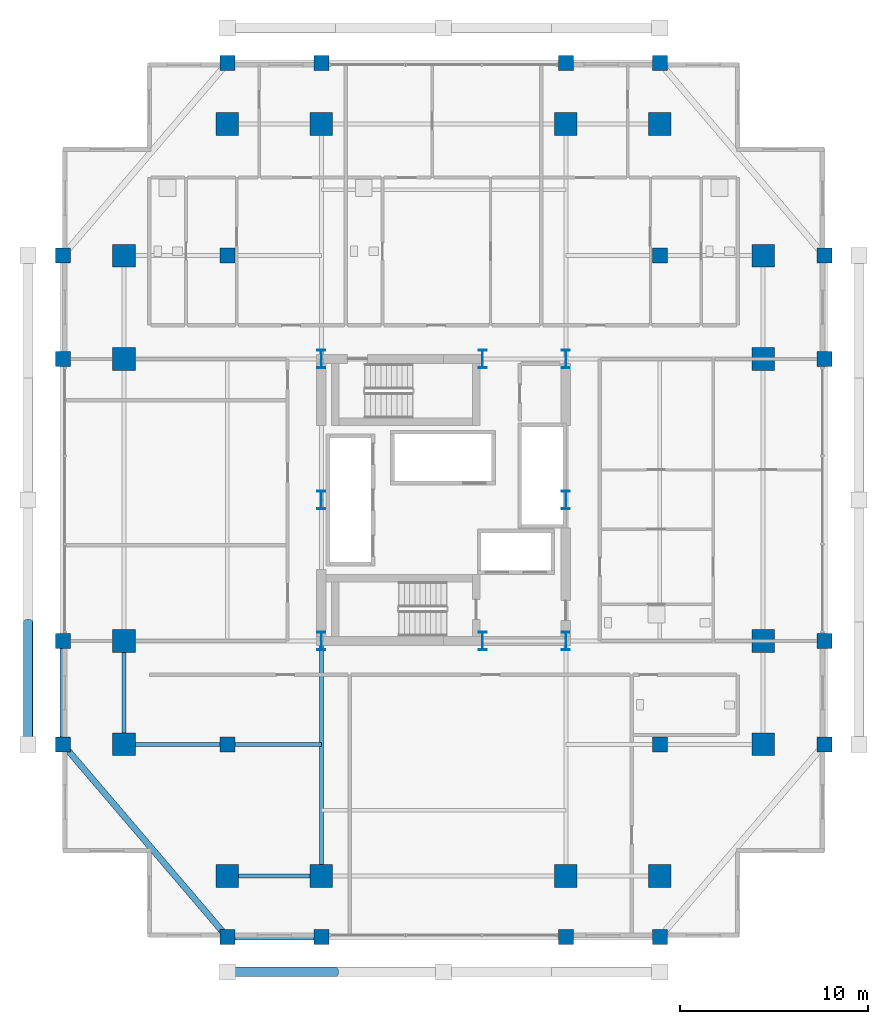
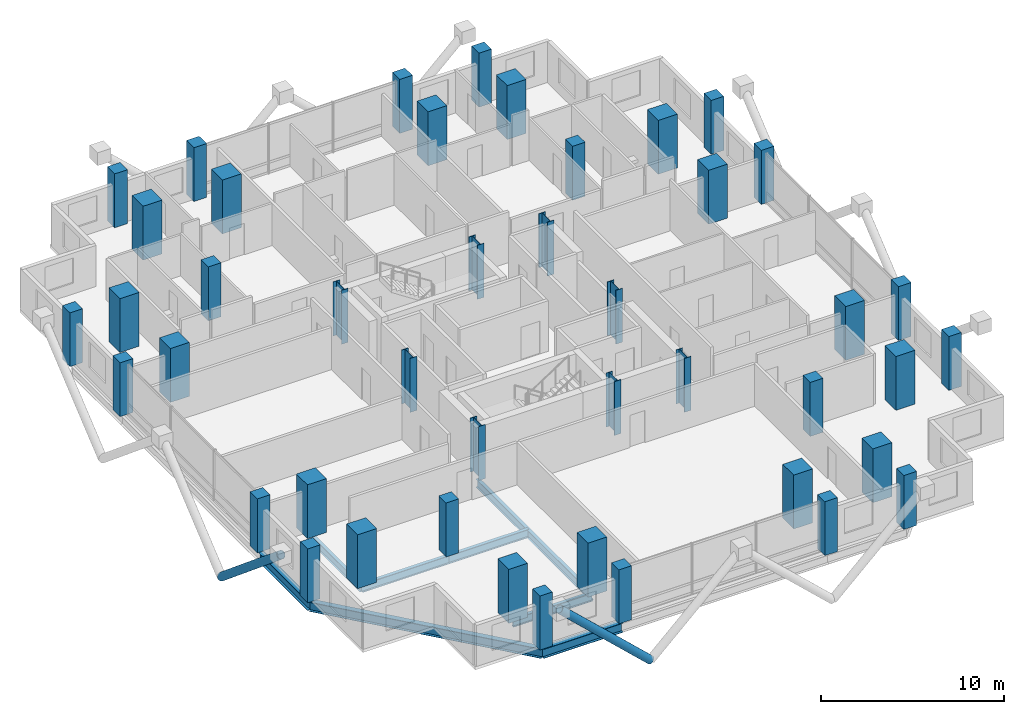
# One storey, part 1 of 22: 44 columns, 8 beams, 2 members.
"""IFC4 building model written with IfcOpenShell, lengths in metres."""

import ifcopenshell
import ifcopenshell.guid

model = None  # the IFC model being written
_history = None  # IfcOwnerHistory: only IFC2X3 demands one
_inside = {}  # id of a spatial element -> (the spatial element, [elements in it])
_under = {}  # id of a project, library or spatial element -> (it, [spatial elements below it])
_declared = {}  # id of a project -> (the project, [libraries it declares])
_typed = {}  # id of a type object -> (the type object, [elements of that type])
_made_of = {}  # id of a material, layer set ... -> (it, [elements and type objects made of it])


def new_model(schema):
    """Start an empty IFC model of exactly this schema.

    Asked for "IFC4X3", IfcOpenShell would pick the latest addendum, in which some entities
    have other attributes; the version numbers below select the first issue.
    IFC2X3 requires an IfcOwnerHistory on every rooted entity: one is made here for all.
    """
    global model, _history
    if schema == "IFC4X3":
        model = ifcopenshell.file(schema_version=(4, 3, 0, 0))
    else:
        model = ifcopenshell.file(schema=schema)
    _inside.clear()
    _under.clear()
    _declared.clear()
    _typed.clear()
    _made_of.clear()
    _history = None
    if model.schema == "IFC2X3":
        org = make("IfcOrganization", Name="unknown")
        user = make(
            "IfcPersonAndOrganization",
            ThePerson=make("IfcPerson", FamilyName="unknown"),
            TheOrganization=org,
        )
        app = make(
            "IfcApplication",
            ApplicationDeveloper=org,
            Version="unknown",
            ApplicationFullName="unknown",
            ApplicationIdentifier="unknown",
        )
        _history = make(
            "IfcOwnerHistory",
            OwningUser=user,
            OwningApplication=app,
            ChangeAction="ADDED",
            CreationDate=0,
        )
    return model


def make(cls, **values):
    """One entity of the class cls with the attributes given. An attribute that is None is left unset."""
    return model.create_entity(
        cls, **{name: value for name, value in values.items() if value is not None}
    )


def rooted(cls, **values):
    """An entity with a GlobalId (a new one), such as an element, a storey or a relation."""
    return make(cls, GlobalId=ifcopenshell.guid.new(), OwnerHistory=_history, **values)


def si_unit(unit_type, name, prefix=None):
    """IfcSIUnit, for example si_unit("LENGTHUNIT", "METRE", prefix="MILLI")."""
    return make("IfcSIUnit", UnitType=unit_type, Prefix=prefix, Name=name)


def assignment(units):
    """IfcUnitAssignment: the units of a project."""
    return None if units is None else make("IfcUnitAssignment", Units=units)


def point(xyz):
    """IfcCartesianPoint."""
    return None if xyz is None else make("IfcCartesianPoint", Coordinates=xyz)


def direction(xyz):
    """IfcDirection."""
    return None if xyz is None else make("IfcDirection", DirectionRatios=xyz)


def frame(location, z_axis=None, x_axis=None):
    """IfcAxis2Placement3D, a coordinate frame: its origin and axes. An axis left out is left unset."""
    return make(
        "IfcAxis2Placement3D",
        Location=point(location),
        Axis=direction(z_axis),
        RefDirection=direction(x_axis),
    )


def frame_2d(location, x_axis=None):
    """IfcAxis2Placement2D, a coordinate frame in the plane: its origin and x axis."""
    return make(
        "IfcAxis2Placement2D", Location=point(location), RefDirection=direction(x_axis)
    )


def origin():
    """The frame at (0, 0, 0) with its axes left unset."""
    return frame((0.0, 0.0, 0.0))


def origin_2d():
    """The frame at (0, 0) in the plane with its x axis left unset."""
    return frame_2d((0.0, 0.0))


def place(relative_to, where):
    """IfcLocalPlacement: puts the frame where relative to a parent placement (None: the world)."""
    return make(
        "IfcLocalPlacement", PlacementRelTo=relative_to, RelativePlacement=where
    )


def context(
    kind, dimensions, precision=None, world=None, true_north=None, identifier=None
):
    """IfcGeometricRepresentationContext, for example the 3D "Model" context."""
    return make(
        "IfcGeometricRepresentationContext",
        ContextIdentifier=identifier,
        ContextType=kind,
        CoordinateSpaceDimension=dimensions,
        Precision=precision,
        WorldCoordinateSystem=world,
        TrueNorth=true_north,
    )


def subcontext(parent, identifier, kind, view, scale=None):
    """IfcGeometricRepresentationSubContext, for example "Body" below "Model"."""
    return make(
        "IfcGeometricRepresentationSubContext",
        ContextIdentifier=identifier,
        ContextType=kind,
        ParentContext=parent,
        TargetScale=scale,
        TargetView=view,
    )


def project(units=None, contexts=None):
    """IfcProject with its units and contexts."""
    return rooted(
        "IfcProject",
        Name="project",
        RepresentationContexts=contexts,
        UnitsInContext=assignment(units),
    )


def spatial(cls, under=None, at=None, **own):
    """A site, building, storey or space (cls), placed at a placement, below another one or the project."""
    s = rooted(cls, ObjectPlacement=at, **own)
    if under is not None:
        _under.setdefault(under.id(), (under, []))[1].append(s)
    return s


def profile(cls, at=None, kind="AREA", **sizes):
    """A parametric profile (cls). Its sizes go by their IFC names, for example OverallWidth=200.0."""
    return make(cls, ProfileType=kind, Position=at, **sizes)


def rectangle(**sizes):
    """IfcRectangleProfileDef."""
    return profile("IfcRectangleProfileDef", **sizes)


def hollow_circle(**sizes):
    """IfcCircleHollowProfileDef."""
    return profile("IfcCircleHollowProfileDef", **sizes)


def i_section(**sizes):
    """IfcIShapeProfileDef."""
    return profile("IfcIShapeProfileDef", **sizes)


def extrude(swept, where, along, depth):
    """IfcExtrudedAreaSolid: the profile swept, set in the frame where, extruded along a direction by depth."""
    return make(
        "IfcExtrudedAreaSolid",
        SweptArea=swept,
        Position=where,
        ExtrudedDirection=direction(along),
        Depth=depth,
    )


def shape(context_of_items, identifier, shape_type, items):
    """IfcShapeRepresentation: the items that make up one representation, for example the "Body"."""
    return make(
        "IfcShapeRepresentation",
        ContextOfItems=context_of_items,
        RepresentationIdentifier=identifier,
        RepresentationType=shape_type,
        Items=items,
    )


def material(Name=None, Category=None):
    """IfcMaterial."""
    return make("IfcMaterial", Name=Name, Category=Category)


def material_profile(
    of_material, cross_section, Name=None, Category=None, Priority=None
):
    """IfcMaterialProfile: a cross section and its material."""
    return make(
        "IfcMaterialProfile",
        Name=Name,
        Material=of_material,
        Profile=cross_section,
        Priority=Priority,
        Category=Category,
    )


def profile_set(profiles, Name=None, composite=None):
    """IfcMaterialProfileSet."""
    return make(
        "IfcMaterialProfileSet",
        Name=Name,
        MaterialProfiles=profiles,
        CompositeProfile=composite,
    )


def made_of(thing, what):
    """Note that an element or type object is made of a material, layer set ...; save() writes the relation."""
    if what is not None:
        _made_of.setdefault(what.id(), (what, []))[1].append(thing)
    return thing


def type_object(cls, material=None, **own):
    """A type object (cls), such as IfcWallType, which elements share."""
    return made_of(rooted(cls, **own), material)


def element(
    cls,
    number,
    at=None,
    inside=None,
    cuts=None,
    type_object=None,
    material=None,
    context=None,
    identifier="Body",
    shape_type=None,
    held_by="IfcProductDefinitionShape",
    body=None,
    shapes=None,
    **own,
):
    """One element of the class cls, such as IfcWall. Its Tag is "e" and its number.

    at: its placement. inside: the storey or other place that contains it. cuts: it is an
    opening in that element (IfcRelVoidsElement). A single representation is given by context,
    identifier, shape_type and body (its items); several are given by shapes. held_by: the class
    of the entity that holds the representations. save() writes the other relations.
    """
    e = rooted(cls, Tag="e%d" % number, ObjectPlacement=at, **own)
    if body is not None:
        shapes = [shape(context, identifier, shape_type, body)]
    if shapes is not None:
        e.Representation = make(held_by, Representations=shapes)
    if inside is not None:
        _inside.setdefault(inside.id(), (inside, []))[1].append(e)
    if cuts is not None:
        rooted(
            "IfcRelVoidsElement", RelatingBuildingElement=cuts, RelatedOpeningElement=e
        )
    if type_object is not None:
        _typed.setdefault(type_object.id(), (type_object, []))[1].append(e)
    return made_of(e, material)


def aggregate(whole, parts):
    """IfcRelAggregates: a whole, such as a stair, and the parts it consists of."""
    return rooted("IfcRelAggregates", RelatingObject=whole, RelatedObjects=parts)


def save(model, path):
    """Write the relations noted so far, then the file.

    IfcRelAggregates (storeys below a building ...), IfcRelContainedInSpatialStructure (elements
    in a storey), IfcRelDefinesByType, IfcRelAssociatesMaterial and IfcRelDeclares: one each for
    every whole, place, type object, material and project.
    """
    for whole, parts in _under.values():
        aggregate(whole, parts)
    for where, things in _inside.values():
        rooted(
            "IfcRelContainedInSpatialStructure",
            RelatedElements=things,
            RelatingStructure=where,
        )
    for kind, things in _typed.values():
        rooted("IfcRelDefinesByType", RelatedObjects=things, RelatingType=kind)
    for what, things in _made_of.values():
        rooted("IfcRelAssociatesMaterial", RelatedObjects=things, RelatingMaterial=what)
    for by, libraries in _declared.values():
        rooted("IfcRelDeclares", RelatingContext=by, RelatedDefinitions=libraries)
    model.write(path)


model = new_model("IFC4")

# Units and contexts
model_context = context("Model", 3, precision=1e-05, world=origin(), true_north=direction((0.0, 1.0)))
body_context = subcontext(model_context, "Body", "Model", "MODEL_VIEW")
ifc_project = project(units=[si_unit("LENGTHUNIT", "METRE"), si_unit("AREAUNIT", "SQUARE_METRE"), si_unit("VOLUMEUNIT", "CUBIC_METRE"), si_unit("PLANEANGLEUNIT", "RADIAN"), si_unit("MASSUNIT", "GRAM", prefix="KILO")], contexts=[model_context])

# Site, building, storey
site_placement = place(None, origin())
site = spatial("IfcSite", under=ifc_project, at=site_placement, CompositionType="ELEMENT")
building_placement = place(site_placement, origin())
building = spatial("IfcBuilding", under=site, at=building_placement, Name="Barlavira Tower and Art Museum", CompositionType="ELEMENT")
storey_placement = place(building_placement, frame((0.0, 0.0, 106.199951171875)))
storey = spatial("IfcBuildingStorey", under=building, at=storey_placement, Name="L26", CompositionType="ELEMENT", Elevation=106.199951171875)

# Columns
ifc_material_1 = material(Name="Steel S355", Category="steel")
ifc_material_profile_1 = material_profile(ifc_material_1, i_section(OverallWidth=0.419921875, OverallDepth=0.9599609375, WebThickness=0.02197265625, FlangeThickness=0.033935546875, at=origin_2d()), Name="W920x387.0")
ifc_profile_set_1 = profile_set([ifc_material_profile_1], Name="Steel S355")
column_type_1 = type_object("IfcColumnType", Name="Core Composite Column W920x387 Steel S355", PredefinedType="COLUMN", material=ifc_profile_set_1)
for number, where, z_axis, x_axis, name in (
    (1, (-6.5, -7.5, 0.0), (0.0, 0.0, 1.0), (1.0, 0.0, 0.0), "L26 Column CC-L26-C1"),
    (2, (2.080078125, -7.5, 0.0), (0.0, 0.0, 1.0), (1.0, 0.0, 0.0), "L26 Column CC-L26-C2"),
    (3, (6.5, -7.5, 0.0), (0.0, 0.0, 1.0), (1.0, 0.0, 0.0), "L26 Column CC-L26-C3"),
    (4, (-6.5, 0.0, 0.0), (0.0, 0.0, 1.0), (1.0, 0.0, 0.0), "L26 Column CC-L26-C4"),
    (5, (6.5, 0.0, 0.0), (0.0, 0.0, 1.0), (1.0, 0.0, 0.0), "L26 Column CC-L26-C5"),
    (6, (-6.5, 7.5, 0.0), (0.0, 0.0, 1.0), (1.0, 0.0, 0.0), "L26 Column CC-L26-C6"),
    (7, (2.080078125, 7.5, 0.0), (0.0, 0.0, 1.0), (1.0, 0.0, 0.0), "L26 Column CC-L26-C7"),
    (8, (6.5, 7.5, 0.0), (0.0, 0.0, 1.0), (1.0, 0.0, 0.0), "L26 Column CC-L26-C8"),
):
    element("IfcColumn", number, at=place(storey_placement, frame(where, z_axis=z_axis, x_axis=x_axis)), inside=storey, type_object=column_type_1, Name=name, PredefinedType="COLUMN", context=body_context, shape_type="SweptSolid", body=[
        extrude(i_section(OverallWidth=0.419921875, OverallDepth=0.9599609375, WebThickness=0.02197265625, FlangeThickness=0.033935546875, at=origin_2d()), origin(), (0.0, 0.0, 1.0), 3.60009765625),
    ])
ifc_material_2 = material(Name="Concrete C60", Category="concrete")
ifc_material_profile_2 = material_profile(ifc_material_2, rectangle(XDim=1.199951171875, YDim=1.199951171875, at=origin_2d()), Name="RC-COL 1200x1200")
ifc_profile_set_2 = profile_set([ifc_material_profile_2], Name="Concrete C60")
column_type_2 = type_object("IfcColumnType", Name="Perimeter Mega Column 1200x1200 Concrete C60", PredefinedType="USERDEFINED", material=ifc_profile_set_2)
for number, where, z_axis, x_axis, name in (
    (9, (-11.5, -20.0, 0.0), (0.0, 0.0, 1.0), (1.0, 0.0, 0.0), "L26 Column MC-L26-M01"),
    (10, (-6.5, -20.0, 0.0), (0.0, 0.0, 1.0), (1.0, 0.0, 0.0), "L26 Column MC-L26-M02"),
    (11, (6.5, -20.0, 0.0), (0.0, 0.0, 1.0), (1.0, 0.0, 0.0), "L26 Column MC-L26-M03"),
    (12, (11.5, -20.0, 0.0), (0.0, 0.0, 1.0), (1.0, 0.0, 0.0), "L26 Column MC-L26-M04"),
    (13, (17.0, -13.0, 0.0), (0.0, 0.0, 1.0), (1.0, 0.0, 0.0), "L26 Column MC-L26-M05"),
    (14, (17.0, -7.5, 0.0), (0.0, 0.0, 1.0), (1.0, 0.0, 0.0), "L26 Column MC-L26-M06"),
    (15, (17.0, 7.5, 0.0), (0.0, 0.0, 1.0), (1.0, 0.0, 0.0), "L26 Column MC-L26-M07"),
    (16, (17.0, 13.0, 0.0), (0.0, 0.0, 1.0), (1.0, 0.0, 0.0), "L26 Column MC-L26-M08"),
    (17, (11.5, 20.0, 0.0), (0.0, 0.0, 1.0), (1.0, 0.0, 0.0), "L26 Column MC-L26-M09"),
    (18, (6.5, 20.0, 0.0), (0.0, 0.0, 1.0), (1.0, 0.0, 0.0), "L26 Column MC-L26-M10"),
    (19, (-6.5, 20.0, 0.0), (0.0, 0.0, 1.0), (1.0, 0.0, 0.0), "L26 Column MC-L26-M11"),
    (20, (-11.5, 20.0, 0.0), (0.0, 0.0, 1.0), (1.0, 0.0, 0.0), "L26 Column MC-L26-M12"),
    (21, (-17.0, 13.0, 0.0), (0.0, 0.0, 1.0), (1.0, 0.0, 0.0), "L26 Column MC-L26-M13"),
    (22, (-17.0, 7.5, 0.0), (0.0, 0.0, 1.0), (1.0, 0.0, 0.0), "L26 Column MC-L26-M14"),
    (23, (-17.0, -7.5, 0.0), (0.0, 0.0, 1.0), (1.0, 0.0, 0.0), "L26 Column MC-L26-M15"),
    (24, (-17.0, -13.0, 0.0), (0.0, 0.0, 1.0), (1.0, 0.0, 0.0), "L26 Column MC-L26-M16"),
):
    element("IfcColumn", number, at=place(storey_placement, frame(where, z_axis=z_axis, x_axis=x_axis)), inside=storey, type_object=column_type_2, Name=name, ObjectType="MEGA COLUMN", PredefinedType="USERDEFINED", context=body_context, shape_type="SweptSolid", body=[
        extrude(rectangle(XDim=1.199951171875, YDim=1.199951171875, at=origin_2d()), origin(), (0.0, 0.0, 1.0), 3.60009765625),
    ])
ifc_material_3 = material(Name="Concrete C50", Category="concrete")
ifc_material_profile_3 = material_profile(ifc_material_3, rectangle(XDim=0.800048828125, YDim=0.800048828125, at=origin_2d()), Name="RC-COL 800x800")
ifc_profile_set_3 = profile_set([ifc_material_profile_3], Name="Concrete C50")
column_type_3 = type_object("IfcColumnType", Name="Podium Frame Column 800x800 Concrete C50", PredefinedType="COLUMN", material=ifc_profile_set_3)
for number, where, z_axis, x_axis, name in (
    (25, (-11.5, -13.0, 0.0), (0.0, 0.0, 1.0), (1.0, 0.0, 0.0), "L26 Column CI-L26-I1"),
    (26, (11.5, -13.0, 0.0), (0.0, 0.0, 1.0), (1.0, 0.0, 0.0), "L26 Column CI-L26-I2"),
    (27, (-11.5, 13.0, 0.0), (0.0, 0.0, 1.0), (1.0, 0.0, 0.0), "L26 Column CI-L26-I3"),
    (28, (11.5, 13.0, 0.0), (0.0, 0.0, 1.0), (1.0, 0.0, 0.0), "L26 Column CI-L26-I4"),
    (29, (-11.5, -23.25, 0.0), (0.0, 0.0, 1.0), (1.0, 0.0, 0.0), "L26 Column CZ2-L26-N01"),
    (30, (-6.5, -23.25, 0.0), (0.0, 0.0, 1.0), (1.0, 0.0, 0.0), "L26 Column CZ2-L26-N02"),
    (31, (6.5, -23.25, 0.0), (0.0, 0.0, 1.0), (1.0, 0.0, 0.0), "L26 Column CZ2-L26-N02B"),
    (32, (11.5, -23.25, 0.0), (0.0, 0.0, 1.0), (1.0, 0.0, 0.0), "L26 Column CZ2-L26-N03"),
    (33, (-20.25, -13.0, 0.0), (0.0, 0.0, 1.0), (1.0, 0.0, 0.0), "L26 Column CZ2-L26-N04"),
    (34, (-20.25, -7.5, 0.0), (0.0, 0.0, 1.0), (1.0, 0.0, 0.0), "L26 Column CZ2-L26-N05"),
    (35, (-20.25, 7.5, 0.0), (0.0, 0.0, 1.0), (1.0, 0.0, 0.0), "L26 Column CZ2-L26-N05B"),
    (36, (-20.25, 13.0, 0.0), (0.0, 0.0, 1.0), (1.0, 0.0, 0.0), "L26 Column CZ2-L26-N06"),
    (37, (-11.5, 23.25, 0.0), (0.0, 0.0, 1.0), (1.0, 0.0, 0.0), "L26 Column CZ2-L26-N07"),
    (38, (-6.5, 23.25, 0.0), (0.0, 0.0, 1.0), (1.0, 0.0, 0.0), "L26 Column CZ2-L26-N08"),
    (39, (6.5, 23.25, 0.0), (0.0, 0.0, 1.0), (1.0, 0.0, 0.0), "L26 Column CZ2-L26-N08B"),
    (40, (11.5, 23.25, 0.0), (0.0, 0.0, 1.0), (1.0, 0.0, 0.0), "L26 Column CZ2-L26-N09"),
    (41, (20.25, -13.0, 0.0), (0.0, 0.0, 1.0), (1.0, 0.0, 0.0), "L26 Column CZ2-L26-N10"),
    (42, (20.25, -7.5, 0.0), (0.0, 0.0, 1.0), (1.0, 0.0, 0.0), "L26 Column CZ2-L26-N11"),
    (43, (20.25, 7.5, 0.0), (0.0, 0.0, 1.0), (1.0, 0.0, 0.0), "L26 Column CZ2-L26-N11B"),
    (44, (20.25, 13.0, 0.0), (0.0, 0.0, 1.0), (1.0, 0.0, 0.0), "L26 Column CZ2-L26-N12"),
):
    element("IfcColumn", number, at=place(storey_placement, frame(where, z_axis=z_axis, x_axis=x_axis)), inside=storey, type_object=column_type_3, Name=name, PredefinedType="COLUMN", context=body_context, shape_type="SweptSolid", body=[
        extrude(rectangle(XDim=0.800048828125, YDim=0.800048828125, at=origin_2d()), origin(), (0.0, 0.0, 1.0), 3.60009765625),
    ])

# Members
ifc_material_profile_4 = material_profile(ifc_material_1, hollow_circle(Radius=0.25390625, WallThickness=0.022216796875, at=origin_2d()), Name="CHS 508.0x22.2")
ifc_profile_set_4 = profile_set([ifc_material_profile_4], Name="Steel S355")
member_type = type_object("IfcMemberType", Name="Pale-Metal Exoskeleton Diagrid Tube CHS 508x22 Steel S355", PredefinedType="BRACE", material=ifc_profile_set_4)
member_1_placement = place(storey_placement, frame((-5.75, -25.10009765625, -1.919921875), z_axis=(-0.728950095515, 0.0, 0.684566839869), x_axis=(0.0, -1.0, 0.0)))
element("IfcMember", 45, at=member_1_placement, inside=storey, type_object=member_type, Name="L26 Exoskeleton Diagrid Tube S", PredefinedType="BRACE", context=body_context, shape_type="SweptSolid", body=[
    extrude(hollow_circle(Radius=0.25390625, WallThickness=0.022216796875, at=origin_2d()), origin(), (0.0, 0.0, 1.0), 7.887939453125),
])
member_2_placement = place(storey_placement, frame((-22.10009765625, -6.5, -1.919921875), z_axis=(0.0, -0.769196053329, 0.639012857104), x_axis=(1.0, 0.0, 0.0)))
element("IfcMember", 46, at=member_2_placement, inside=storey, type_object=member_type, Name="L26 Exoskeleton Diagrid Tube W", PredefinedType="BRACE", context=body_context, shape_type="SweptSolid", body=[
    extrude(hollow_circle(Radius=0.25390625, WallThickness=0.022216796875, at=origin_2d()), origin(), (0.0, 0.0, 1.0), 8.450439453125),
])

# Beams
ifc_material_profile_5 = material_profile(ifc_material_1, i_section(OverallWidth=0.327880859375, OverallDepth=0.62890625, WebThickness=0.013916015625, FlangeThickness=0.021484375, at=origin_2d()), Name="W610x174.0")
ifc_profile_set_5 = profile_set([ifc_material_profile_5], Name="Steel S355")
beam_type_1 = type_object("IfcBeamType", Name="Perimeter Spandrel Edge Beam W610x174 Steel S355", PredefinedType="SPANDREL", material=ifc_profile_set_5)
beam_1_placement = place(storey_placement, frame((-11.5, -23.25, -0.534423828125), z_axis=(1.0, 0.0, 0.0), x_axis=(0.0, 1.0, 0.0)))
element("IfcBeam", 47, at=beam_1_placement, inside=storey, type_object=beam_type_1, Name="L26 Spandrel 1", PredefinedType="SPANDREL", context=body_context, shape_type="SweptSolid", body=[
    extrude(i_section(OverallWidth=0.327880859375, OverallDepth=0.62890625, WebThickness=0.013916015625, FlangeThickness=0.021484375, at=origin_2d()), origin(), (0.0, 0.0, 1.0), 5.0),
])
beam_2_placement = place(storey_placement, frame((-20.25, -13.0, -0.534423828125), z_axis=(0.0, 1.0, 0.0), x_axis=(-1.0, 0.0, 0.0)))
element("IfcBeam", 48, at=beam_2_placement, inside=storey, type_object=beam_type_1, Name="L26 Spandrel 15", PredefinedType="SPANDREL", context=body_context, shape_type="SweptSolid", body=[
    extrude(i_section(OverallWidth=0.327880859375, OverallDepth=0.62890625, WebThickness=0.013916015625, FlangeThickness=0.021484375, at=origin_2d()), origin(), (0.0, 0.0, 1.0), 5.5),
])
beam_3_placement = place(storey_placement, frame((-20.25, -13.0, -0.534423828125), z_axis=(0.649262379928, -0.760564502202, 0.0), x_axis=(0.760564502202, 0.649262379928, 0.0)))
element("IfcBeam", 49, at=beam_3_placement, inside=storey, type_object=beam_type_1, Name="L26 Spandrel 16", PredefinedType="SPANDREL", context=body_context, shape_type="SweptSolid", body=[
    extrude(i_section(OverallWidth=0.327880859375, OverallDepth=0.62890625, WebThickness=0.013916015625, FlangeThickness=0.021484375, at=origin_2d()), origin(), (0.0, 0.0, 1.0), 13.476806640625),
])
ifc_material_profile_6 = material_profile(ifc_material_1, i_section(OverallWidth=0.214111328125, OverallDepth=0.549072265625, WebThickness=0.0146484375, FlangeThickness=0.023681640625, at=origin_2d()), Name="W530x138.0")
ifc_profile_set_6 = profile_set([ifc_material_profile_6], Name="Steel S355")
beam_type_2 = type_object("IfcBeamType", Name="Zone 1 Primary Floor Girder W530x138 Steel S355", PredefinedType="BEAM", material=ifc_profile_set_6)
beam_4_placement = place(storey_placement, frame((-11.5, -20.0, -0.494384765625), z_axis=(1.0, 0.0, 0.0), x_axis=(0.0, 1.0, 0.0)))
element("IfcBeam", 50, at=beam_4_placement, inside=storey, type_object=beam_type_2, Name="L26 Girder M-S1", PredefinedType="BEAM", context=body_context, shape_type="SweptSolid", body=[
    extrude(i_section(OverallWidth=0.214111328125, OverallDepth=0.549072265625, WebThickness=0.0146484375, FlangeThickness=0.023681640625, at=origin_2d()), origin(), (0.0, 0.0, 1.0), 5.0),
])
beam_5_placement = place(storey_placement, frame((-17.0, -13.0, -0.494384765625), z_axis=(0.0, 1.0, 0.0), x_axis=(-1.0, 0.0, 0.0)))
element("IfcBeam", 51, at=beam_5_placement, inside=storey, type_object=beam_type_2, Name="L26 Girder M-W1", PredefinedType="BEAM", context=body_context, shape_type="SweptSolid", body=[
    extrude(i_section(OverallWidth=0.214111328125, OverallDepth=0.549072265625, WebThickness=0.0146484375, FlangeThickness=0.023681640625, at=origin_2d()), origin(), (0.0, 0.0, 1.0), 5.5),
])
beam_6_placement = place(storey_placement, frame((-6.5, -20.0, -0.494384765625), z_axis=(0.0, 1.0, 0.0), x_axis=(-1.0, 0.0, 0.0)))
element("IfcBeam", 52, at=beam_6_placement, inside=storey, type_object=beam_type_2, Name="L26 Girder R-S1", PredefinedType="BEAM", context=body_context, shape_type="SweptSolid", body=[
    extrude(i_section(OverallWidth=0.214111328125, OverallDepth=0.549072265625, WebThickness=0.0146484375, FlangeThickness=0.023681640625, at=origin_2d()), origin(), (0.0, 0.0, 1.0), 12.5),
])
beam_7_placement = place(storey_placement, frame((-17.0, -13.0, -0.494384765625), z_axis=(1.0, 0.0, 0.0), x_axis=(0.0, 1.0, 0.0)))
element("IfcBeam", 53, at=beam_7_placement, inside=storey, type_object=beam_type_2, Name="L26 Girder I-S1", PredefinedType="BEAM", context=body_context, shape_type="SweptSolid", body=[
    extrude(i_section(OverallWidth=0.214111328125, OverallDepth=0.549072265625, WebThickness=0.0146484375, FlangeThickness=0.023681640625, at=origin_2d()), origin(), (0.0, 0.0, 1.0), 5.5),
])
beam_8_placement = place(storey_placement, frame((-11.5, -13.0, -0.494384765625), z_axis=(1.0, 0.0, 0.0), x_axis=(0.0, 1.0, 0.0)))
element("IfcBeam", 54, at=beam_8_placement, inside=storey, type_object=beam_type_2, Name="L26 Girder I-S2", PredefinedType="BEAM", context=body_context, shape_type="SweptSolid", body=[
    extrude(i_section(OverallWidth=0.214111328125, OverallDepth=0.549072265625, WebThickness=0.0146484375, FlangeThickness=0.023681640625, at=origin_2d()), origin(), (0.0, 0.0, 1.0), 5.0),
])

save(model, "model.ifc")
